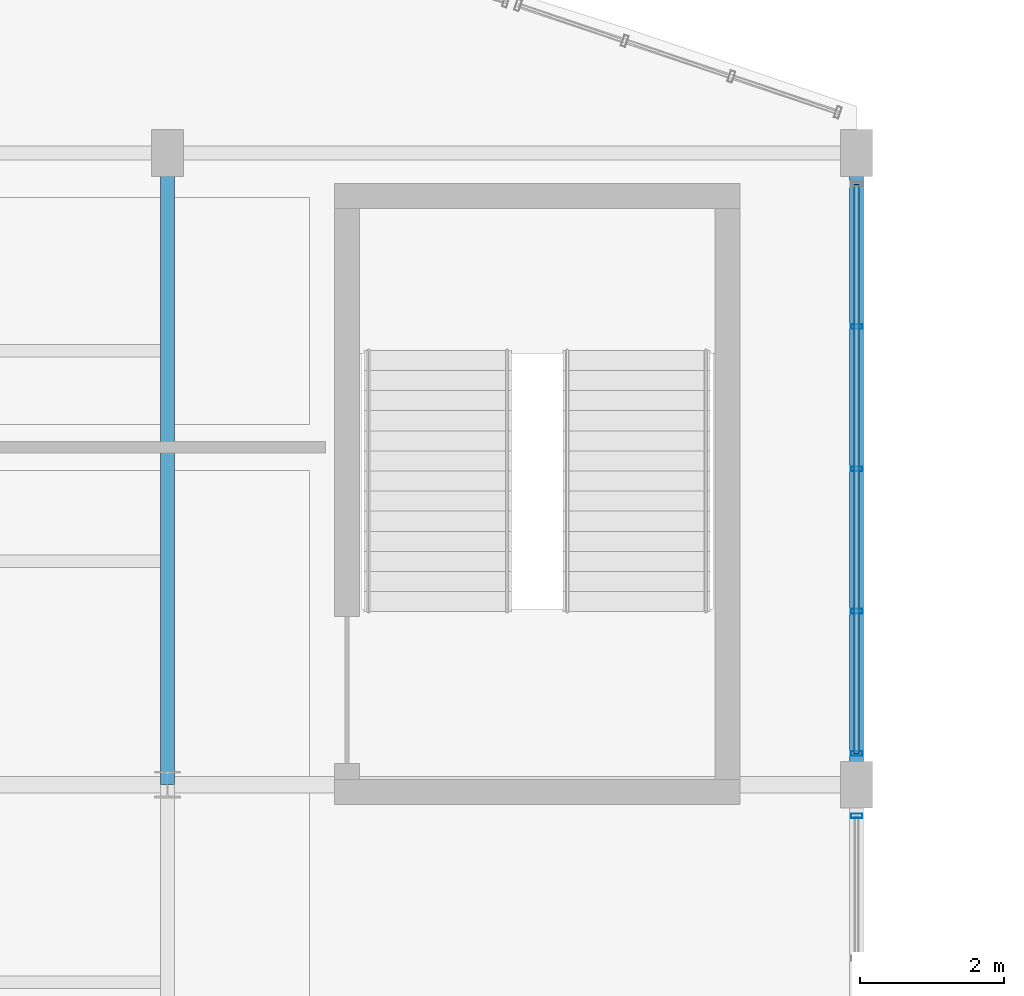
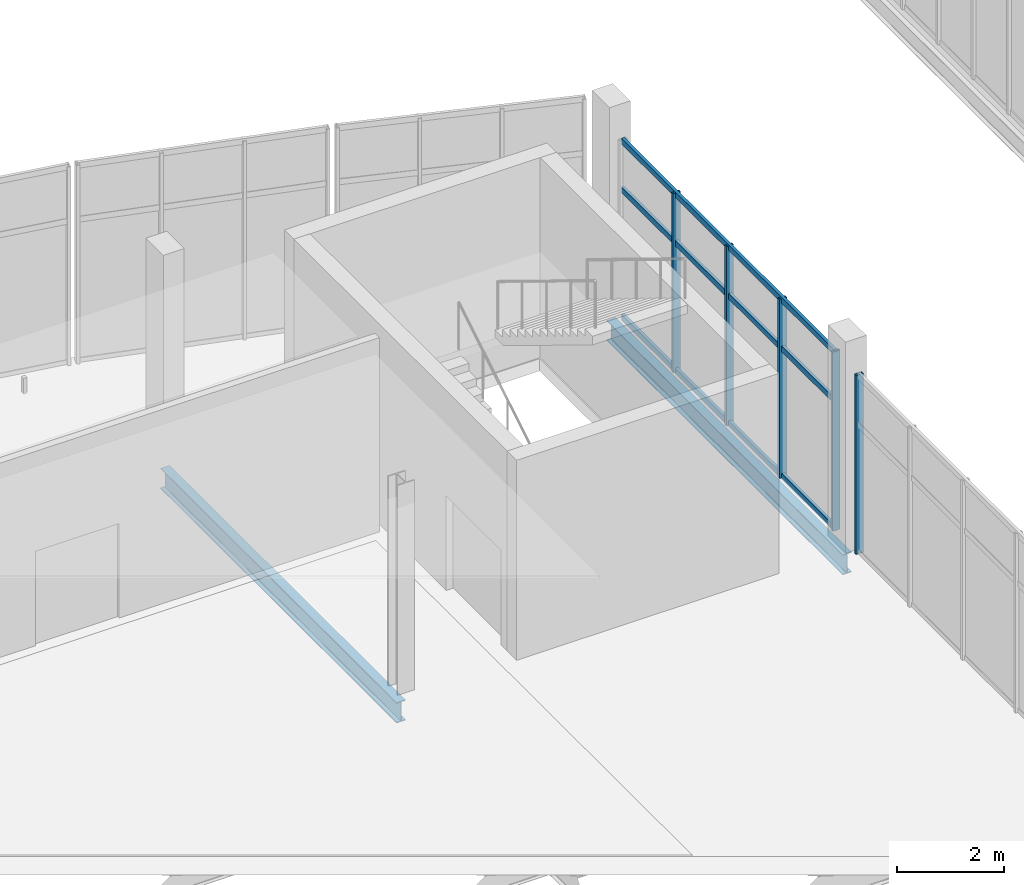
# One storey, part 41 of 157: 8 members, 2 beams, 2 elements without a shape of their own.
"""IFC4 building model written with IfcOpenShell, lengths in metres."""

from ifc_helpers import new_model, si_unit, direction, frame, origin, origin_2d, place, context, subcontext, project, spatial, hollow_rectangle, i_section, extrude, material, layer, layer_set, material_profile, profile_set, type_object, element, aggregate, save


model = new_model("IFC4")

# Units and contexts
model_context = context("Model", 3, precision=1e-05, world=origin(), true_north=direction((0.0, 1.0)))
body_context = subcontext(model_context, "Body", "Model", "MODEL_VIEW")
ifc_project = project(units=[si_unit("LENGTHUNIT", "METRE"), si_unit("AREAUNIT", "SQUARE_METRE"), si_unit("VOLUMEUNIT", "CUBIC_METRE"), si_unit("PLANEANGLEUNIT", "RADIAN"), si_unit("MASSUNIT", "GRAM", prefix="KILO")], contexts=[model_context])

# Site, building, storey
site_placement = place(None, origin())
site = spatial("IfcSite", under=ifc_project, at=site_placement, CompositionType="ELEMENT")
building_placement = place(site_placement, origin())
building = spatial("IfcBuilding", under=site, at=building_placement, Name="Chalmorin Arch Market", CompositionType="ELEMENT")
storey_placement = place(building_placement, frame((0.0, 0.0, 4.800048828125)))
storey = spatial("IfcBuildingStorey", under=building, at=storey_placement, Name="L01", CompositionType="ELEMENT", Elevation=4.800048828125)

# Curtain wall, member
ifc_material_1 = material(Name="Aluminium 6063-T6", Category="aluminium")
ifc_layer = layer(ifc_material_1, 0.159912109375)
ifc_layer_set = layer_set([ifc_layer], Name="Aluminium 6063-T6")
curtain_wall_type = type_object("IfcCurtainWallType", Name="RiverfrontStorefrontCurtainWall-CW2-7930x4080", PredefinedType="NOTDEFINED", material=ifc_layer_set)
curtain_wall_1_placement = place(storey_placement, origin())
curtain_wall_1 = element("IfcCurtainWall", 1, at=curtain_wall_1_placement, inside=storey, type_object=curtain_wall_type, Name="CW-02-103", PredefinedType="NOTDEFINED")
ifc_material_profile_1 = material_profile(ifc_material_1, hollow_rectangle(XDim=0.06494140625, YDim=0.159912109375, WallThickness=0.00390625, at=origin_2d()), Name="ALU65X160X4")
ifc_profile_set_1 = profile_set([ifc_material_profile_1], Name="Aluminium 6063-T6")
member_type_1 = type_object("IfcMemberType", Name="CurtainWallMullion-65x160", PredefinedType="MULLION", material=ifc_profile_set_1)
member_1_placement = place(storey_placement, frame((38.39990234375, 40.764892578125, 0.0), z_axis=(0.0, 0.0, 1.0), x_axis=(0.0, 1.0, 0.0)))
member_1 = element("IfcMember", 2, at=member_1_placement, type_object=member_type_1, Name="ML-103-05", PredefinedType="MULLION", context=body_context, shape_type="SweptSolid", body=[
    extrude(hollow_rectangle(XDim=0.06494140625, YDim=0.159912109375, WallThickness=0.00390625, at=origin_2d()), origin(), (0.0, 0.0, 1.0), 4.075927734375),
])
aggregate(curtain_wall_1, [member_1])

# Curtain wall, members
curtain_wall_2_placement = place(storey_placement, origin())
curtain_wall_2 = element("IfcCurtainWall", 3, at=curtain_wall_2_placement, inside=storey, type_object=curtain_wall_type, Name="CW-02-105", PredefinedType="NOTDEFINED")
member_2_placement = place(storey_placement, frame((38.39990234375, 41.635009765625, 0.0), z_axis=(0.0, 0.0, 1.0), x_axis=(0.0, 1.0, 0.0)))
member_2 = element("IfcMember", 4, at=member_2_placement, type_object=member_type_1, Name="ML-105-01", PredefinedType="MULLION", context=body_context, shape_type="SweptSolid", body=[
    extrude(hollow_rectangle(XDim=0.06494140625, YDim=0.159912109375, WallThickness=0.00390625, at=origin_2d()), origin(), (0.0, 0.0, 1.0), 4.075927734375),
])
member_3_placement = place(storey_placement, frame((38.39990234375, 43.617431640625, 0.0), z_axis=(0.0, 0.0, 1.0), x_axis=(0.0, 1.0, 0.0)))
member_3 = element("IfcMember", 5, at=member_3_placement, type_object=member_type_1, Name="ML-105-02", PredefinedType="MULLION", context=body_context, shape_type="SweptSolid", body=[
    extrude(hollow_rectangle(XDim=0.06494140625, YDim=0.159912109375, WallThickness=0.00390625, at=origin_2d()), origin(), (0.0, 0.0, 1.0), 4.075927734375),
])
member_4_placement = place(storey_placement, frame((38.39990234375, 45.60009765625, 0.0), z_axis=(0.0, 0.0, 1.0), x_axis=(0.0, 1.0, 0.0)))
member_4 = element("IfcMember", 6, at=member_4_placement, type_object=member_type_1, Name="ML-105-03", PredefinedType="MULLION", context=body_context, shape_type="SweptSolid", body=[
    extrude(hollow_rectangle(XDim=0.06494140625, YDim=0.159912109375, WallThickness=0.00390625, at=origin_2d()), origin(), (0.0, 0.0, 1.0), 4.075927734375),
])
member_5_placement = place(storey_placement, frame((38.39990234375, 47.58251953125, 0.0), z_axis=(0.0, 0.0, 1.0), x_axis=(0.0, 1.0, 0.0)))
member_5 = element("IfcMember", 7, at=member_5_placement, type_object=member_type_1, Name="ML-105-04", PredefinedType="MULLION", context=body_context, shape_type="SweptSolid", body=[
    extrude(hollow_rectangle(XDim=0.06494140625, YDim=0.159912109375, WallThickness=0.00390625, at=origin_2d()), origin(), (0.0, 0.0, 1.0), 4.075927734375),
])
ifc_material_profile_2 = material_profile(ifc_material_1, hollow_rectangle(XDim=0.06494140625, YDim=0.1298828125, WallThickness=0.00390625, at=origin_2d()), Name="ALU65X130X4")
ifc_profile_set_2 = profile_set([ifc_material_profile_2], Name="Aluminium 6063-T6")
member_type_2 = type_object("IfcMemberType", Name="CurtainWallTransom-65x130", PredefinedType="USERDEFINED", material=ifc_profile_set_2)
member_6_placement = place(storey_placement, frame((38.39990234375, 41.635009765625, 0.034912109375), z_axis=(0.0, 1.0, 0.0), x_axis=(-1.0, 0.0, 0.0)))
member_6 = element("IfcMember", 8, at=member_6_placement, type_object=member_type_2, Name="TR-105-01", ObjectType="TRANSOM", PredefinedType="USERDEFINED", context=body_context, shape_type="SweptSolid", body=[
    extrude(hollow_rectangle(XDim=0.06494140625, YDim=0.1298828125, WallThickness=0.00390625, at=origin_2d()), origin(), (0.0, 0.0, 1.0), 7.929931640625),
])
member_7_placement = place(storey_placement, frame((38.39990234375, 41.635009765625, 2.9345703125), z_axis=(0.0, 1.0, 0.0), x_axis=(-1.0, 0.0, 0.0)))
member_7 = element("IfcMember", 9, at=member_7_placement, type_object=member_type_2, Name="TR-105-02", ObjectType="TRANSOM", PredefinedType="USERDEFINED", context=body_context, shape_type="SweptSolid", body=[
    extrude(hollow_rectangle(XDim=0.06494140625, YDim=0.1298828125, WallThickness=0.00390625, at=origin_2d()), origin(), (0.0, 0.0, 1.0), 7.929931640625),
])
member_8_placement = place(storey_placement, frame((38.39990234375, 41.635009765625, 4.041015625), z_axis=(0.0, 1.0, 0.0), x_axis=(-1.0, 0.0, 0.0)))
member_8 = element("IfcMember", 10, at=member_8_placement, type_object=member_type_2, Name="TR-105-03", ObjectType="TRANSOM", PredefinedType="USERDEFINED", context=body_context, shape_type="SweptSolid", body=[
    extrude(hollow_rectangle(XDim=0.06494140625, YDim=0.1298828125, WallThickness=0.00390625, at=origin_2d()), origin(), (0.0, 0.0, 1.0), 7.929931640625),
])
aggregate(curtain_wall_2, [member_2, member_3, member_4, member_5, member_6, member_7, member_8])

# Beams
ifc_material_2 = material(Name="Steel A992 Grade 50", Category="steel")
ifc_material_profile_3 = material_profile(ifc_material_2, i_section(OverallWidth=0.193115234375, OverallDepth=0.466064453125, WebThickness=0.011474609375, FlangeThickness=0.01904296875, FilletRadius=0.02001953125, at=origin_2d()), Name="W18X65")
ifc_profile_set_3 = profile_set([ifc_material_profile_3], Name="Steel A992 Grade 50")
beam_type_1 = type_object("IfcBeamType", Name="FloorSteelBeam-W18X65", PredefinedType="BEAM", material=ifc_profile_set_3)
beam_1_placement = place(storey_placement, frame((28.800048828125, 41.199951171875, -0.51513671875), z_axis=(0.0, 1.0, 0.0), x_axis=(-1.0, 0.0, 0.0)))
element("IfcBeam", 11, at=beam_1_placement, inside=storey, type_object=beam_type_1, Name="BM-W18A-0833", PredefinedType="BEAM", context=body_context, shape_type="SweptSolid", body=[
    extrude(i_section(OverallWidth=0.193115234375, OverallDepth=0.466064453125, WebThickness=0.011474609375, FlangeThickness=0.01904296875, FilletRadius=0.02001953125, at=origin_2d()), origin(), (0.0, 0.0, 1.0), 8.800048828125),
])
ifc_material_profile_4 = material_profile(ifc_material_2, i_section(OverallWidth=0.19091796875, OverallDepth=0.45703125, WebThickness=0.009033203125, FlangeThickness=0.014404296875, FilletRadius=0.02001953125, at=origin_2d()), Name="W18X50")
ifc_profile_set_4 = profile_set([ifc_material_profile_4], Name="Steel A992 Grade 50")
beam_type_2 = type_object("IfcBeamType", Name="PerimeterSpandrelBeam-W18X50", PredefinedType="SPANDREL", material=ifc_profile_set_4)
beam_2_placement = place(storey_placement, frame((38.39990234375, 41.199951171875, -0.510498046875), z_axis=(0.0, 1.0, 0.0), x_axis=(-1.0, 0.0, 0.0)))
element("IfcBeam", 12, at=beam_2_placement, inside=storey, type_object=beam_type_2, Name="SP-W18-0844", PredefinedType="SPANDREL", context=body_context, shape_type="SweptSolid", body=[
    extrude(i_section(OverallWidth=0.19091796875, OverallDepth=0.45703125, WebThickness=0.009033203125, FlangeThickness=0.014404296875, FilletRadius=0.02001953125, at=origin_2d()), origin(), (0.0, 0.0, 1.0), 8.800048828125),
])

save(model, "model.ifc")
